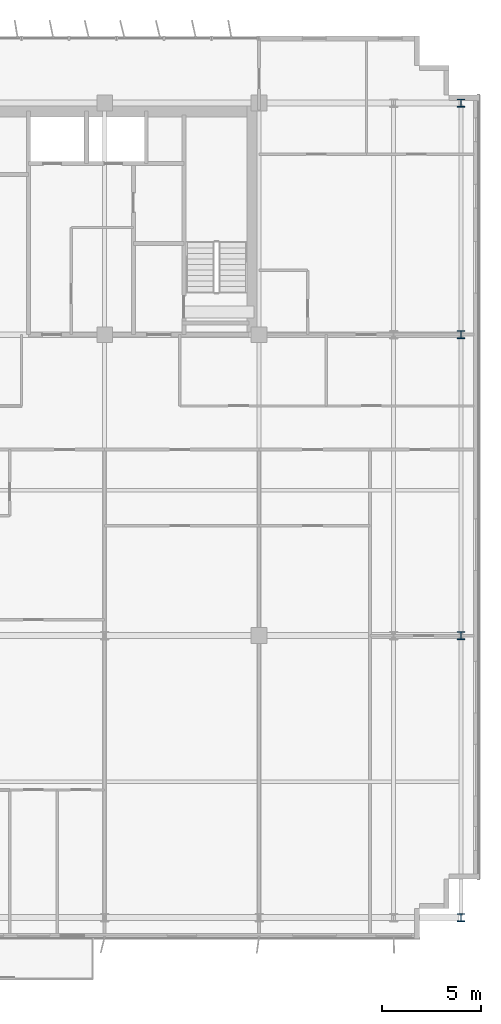
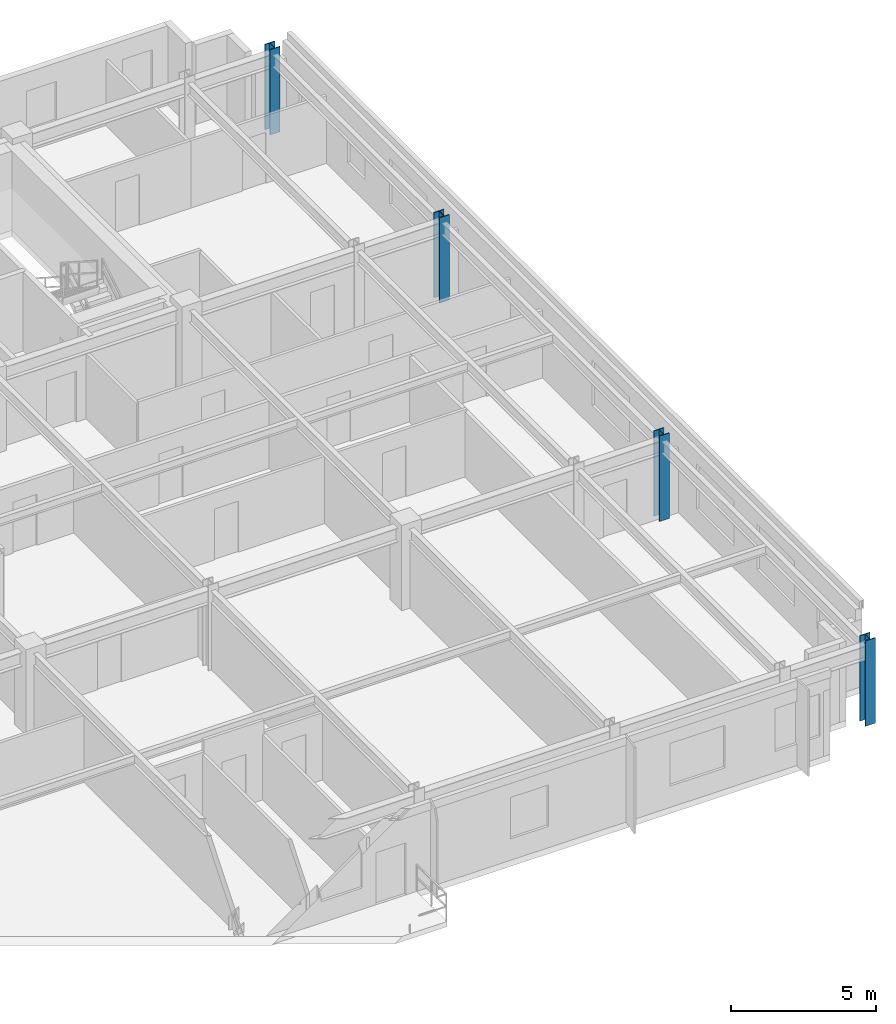
# One storey, part 3 of 22: 4 columns.
"""IFC4 building model written with IfcOpenShell, lengths in metres."""

from ifc_helpers import new_model, si_unit, direction, frame, origin, origin_2d, place, context, subcontext, project, spatial, i_section, extrude, source, transform, mapped, material, material_profile, profile_set, type_object, element, save


model = new_model("IFC4")

# Units and contexts
model_context = context("Model", 3, precision=1e-05, world=origin(), true_north=direction((0.0, 1.0)))
body_context = subcontext(model_context, "Body", "Model", "MODEL_VIEW")
ifc_project = project(units=[si_unit("LENGTHUNIT", "METRE"), si_unit("AREAUNIT", "SQUARE_METRE"), si_unit("VOLUMEUNIT", "CUBIC_METRE"), si_unit("PLANEANGLEUNIT", "RADIAN"), si_unit("MASSUNIT", "GRAM", prefix="KILO")], contexts=[model_context])

# Site, building, storey
site_placement = place(None, origin())
site = spatial("IfcSite", under=ifc_project, at=site_placement, CompositionType="ELEMENT")
building_placement = place(site_placement, origin())
building = spatial("IfcBuilding", under=site, at=building_placement, Name="Trelvane Seafront Commons", CompositionType="ELEMENT")
storey_placement = place(building_placement, frame((0.0, 0.0, 117.699951171875)))
storey = spatial("IfcBuildingStorey", under=building, at=storey_placement, Name="L30", CompositionType="ELEMENT", Elevation=117.699951171875)

# Columns
ifc_material = material(Name="Steel SM355 (S355)", Category="steel")
ifc_material_profile = material_profile(ifc_material, i_section(OverallWidth=0.39990234375, OverallDepth=0.39990234375, WebThickness=0.02197265625, FlangeThickness=0.034912109375, at=origin_2d()), Name="HD-400x400x22x35")
ifc_profile_set = profile_set([ifc_material_profile], Name="Steel SM355 (S355)")
column_type = type_object("IfcColumnType", Name="STR-COL-HD400", PredefinedType="COLUMN", material=ifc_profile_set)
shared_shape = source(origin(), body_context, "Body", "SweptSolid", [
    extrude(i_section(OverallWidth=0.39990234375, OverallDepth=0.39990234375, WebThickness=0.02197265625, FlangeThickness=0.034912109375, at=origin_2d()), origin(), (0.0, 0.0, 1.0), 3.60009765625),
])
for number, where, z_axis, x_axis, name in (
    (1, (69.0, 3.949951171875, 0.0), (0.0, 0.0, 1.0), (1.0, 0.0, 0.0), "L30 Column TC-S69.0"),
    (2, (69.0, 18.199951171875, 0.0), (0.0, 0.0, 1.0), (1.0, 0.0, 0.0), "L30 Column TC-M69.0"),
    (3, (69.0, 33.39990234375, 0.0), (0.0, 0.0, 1.0), (1.0, 0.0, 0.0), "L30 Column TC-CS69.0"),
    (4, (69.0, 45.10009765625, 0.0), (0.0, 0.0, 1.0), (1.0, 0.0, 0.0), "L30 Column TC-CN69.0"),
):
    element("IfcColumn", number, at=place(storey_placement, frame(where, z_axis=z_axis, x_axis=x_axis)), inside=storey, type_object=column_type, Name=name, PredefinedType="COLUMN", context=body_context, shape_type="MappedRepresentation", body=[
        mapped(shared_shape, transform((0.0, 0.0, 0.0), x_axis=(1.0, 0.0, 0.0), y_axis=(0.0, 1.0, 0.0), z_axis=(0.0, 0.0, 1.0), scale=1.0)),
    ])

save(model, "model.ifc")
